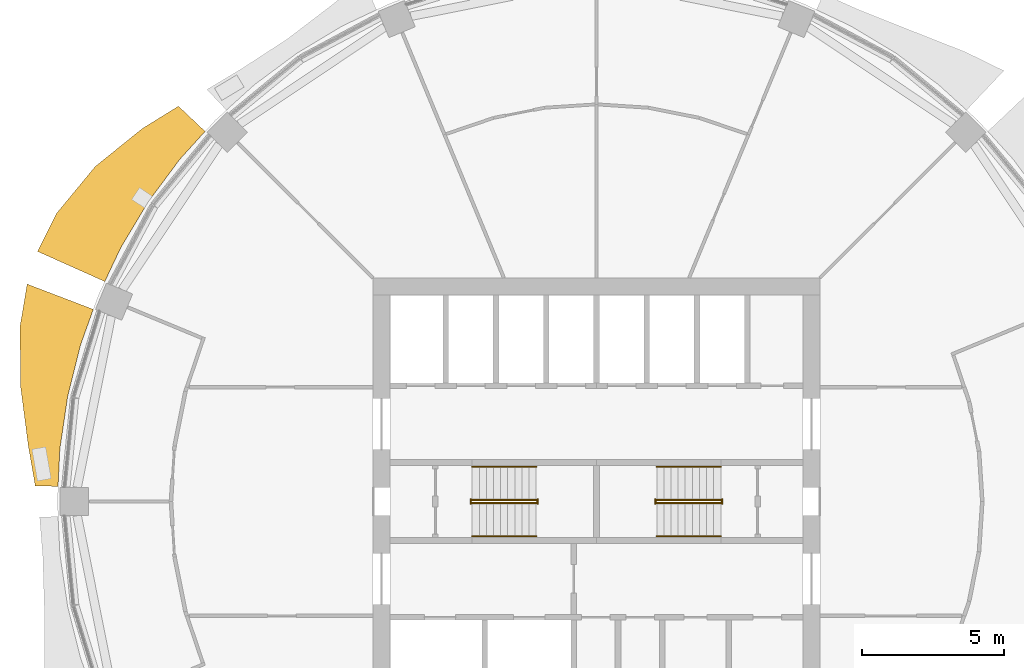
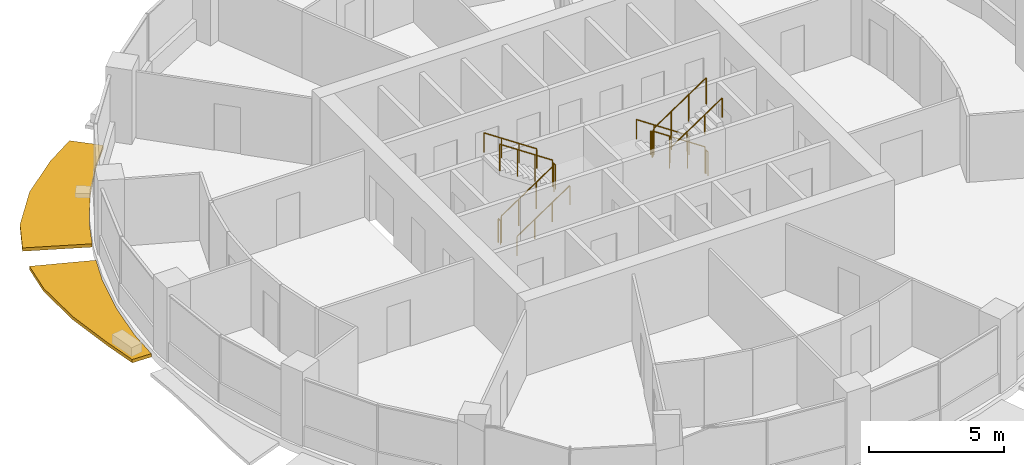
# One storey, part 13 of 15: 12 railings, 2 shading devices.
"""IFC4 building model written with IfcOpenShell, lengths in metres."""

import ifcopenshell
import ifcopenshell.guid

model = None  # the IFC model being written
_history = None  # IfcOwnerHistory: only IFC2X3 demands one
_inside = {}  # id of a spatial element -> (the spatial element, [elements in it])
_under = {}  # id of a project, library or spatial element -> (it, [spatial elements below it])
_declared = {}  # id of a project -> (the project, [libraries it declares])
_typed = {}  # id of a type object -> (the type object, [elements of that type])
_made_of = {}  # id of a material, layer set ... -> (it, [elements and type objects made of it])


def new_model(schema):
    """Start an empty IFC model of exactly this schema.

    Asked for "IFC4X3", IfcOpenShell would pick the latest addendum, in which some entities
    have other attributes; the version numbers below select the first issue.
    IFC2X3 requires an IfcOwnerHistory on every rooted entity: one is made here for all.
    """
    global model, _history
    if schema == "IFC4X3":
        model = ifcopenshell.file(schema_version=(4, 3, 0, 0))
    else:
        model = ifcopenshell.file(schema=schema)
    _inside.clear()
    _under.clear()
    _declared.clear()
    _typed.clear()
    _made_of.clear()
    _history = None
    if model.schema == "IFC2X3":
        org = make("IfcOrganization", Name="unknown")
        user = make(
            "IfcPersonAndOrganization",
            ThePerson=make("IfcPerson", FamilyName="unknown"),
            TheOrganization=org,
        )
        app = make(
            "IfcApplication",
            ApplicationDeveloper=org,
            Version="unknown",
            ApplicationFullName="unknown",
            ApplicationIdentifier="unknown",
        )
        _history = make(
            "IfcOwnerHistory",
            OwningUser=user,
            OwningApplication=app,
            ChangeAction="ADDED",
            CreationDate=0,
        )
    return model


def make(cls, **values):
    """One entity of the class cls with the attributes given. An attribute that is None is left unset."""
    return model.create_entity(
        cls, **{name: value for name, value in values.items() if value is not None}
    )


def rooted(cls, **values):
    """An entity with a GlobalId (a new one), such as an element, a storey or a relation."""
    return make(cls, GlobalId=ifcopenshell.guid.new(), OwnerHistory=_history, **values)


def si_unit(unit_type, name, prefix=None):
    """IfcSIUnit, for example si_unit("LENGTHUNIT", "METRE", prefix="MILLI")."""
    return make("IfcSIUnit", UnitType=unit_type, Prefix=prefix, Name=name)


def assignment(units):
    """IfcUnitAssignment: the units of a project."""
    return None if units is None else make("IfcUnitAssignment", Units=units)


def point(xyz):
    """IfcCartesianPoint."""
    return None if xyz is None else make("IfcCartesianPoint", Coordinates=xyz)


def direction(xyz):
    """IfcDirection."""
    return None if xyz is None else make("IfcDirection", DirectionRatios=xyz)


def frame(location, z_axis=None, x_axis=None):
    """IfcAxis2Placement3D, a coordinate frame: its origin and axes. An axis left out is left unset."""
    return make(
        "IfcAxis2Placement3D",
        Location=point(location),
        Axis=direction(z_axis),
        RefDirection=direction(x_axis),
    )


def frame_2d(location, x_axis=None):
    """IfcAxis2Placement2D, a coordinate frame in the plane: its origin and x axis."""
    return make(
        "IfcAxis2Placement2D", Location=point(location), RefDirection=direction(x_axis)
    )


def origin():
    """The frame at (0, 0, 0) with its axes left unset."""
    return frame((0.0, 0.0, 0.0))


def origin_2d():
    """The frame at (0, 0) in the plane with its x axis left unset."""
    return frame_2d((0.0, 0.0))


def place(relative_to, where):
    """IfcLocalPlacement: puts the frame where relative to a parent placement (None: the world)."""
    return make(
        "IfcLocalPlacement", PlacementRelTo=relative_to, RelativePlacement=where
    )


def context(
    kind, dimensions, precision=None, world=None, true_north=None, identifier=None
):
    """IfcGeometricRepresentationContext, for example the 3D "Model" context."""
    return make(
        "IfcGeometricRepresentationContext",
        ContextIdentifier=identifier,
        ContextType=kind,
        CoordinateSpaceDimension=dimensions,
        Precision=precision,
        WorldCoordinateSystem=world,
        TrueNorth=true_north,
    )


def subcontext(parent, identifier, kind, view, scale=None):
    """IfcGeometricRepresentationSubContext, for example "Body" below "Model"."""
    return make(
        "IfcGeometricRepresentationSubContext",
        ContextIdentifier=identifier,
        ContextType=kind,
        ParentContext=parent,
        TargetScale=scale,
        TargetView=view,
    )


def project(units=None, contexts=None):
    """IfcProject with its units and contexts."""
    return rooted(
        "IfcProject",
        Name="project",
        RepresentationContexts=contexts,
        UnitsInContext=assignment(units),
    )


def spatial(cls, under=None, at=None, **own):
    """A site, building, storey or space (cls), placed at a placement, below another one or the project."""
    s = rooted(cls, ObjectPlacement=at, **own)
    if under is not None:
        _under.setdefault(under.id(), (under, []))[1].append(s)
    return s


def polyline(points):
    """IfcPolyline through the points."""
    return make("IfcPolyline", Points=[point(p) for p in points])


def profile(cls, at=None, kind="AREA", **sizes):
    """A parametric profile (cls). Its sizes go by their IFC names, for example OverallWidth=200.0."""
    return make(cls, ProfileType=kind, Position=at, **sizes)


def circle(**sizes):
    """IfcCircleProfileDef."""
    return profile("IfcCircleProfileDef", **sizes)


def outline(outer, holes=None, kind="AREA"):
    """IfcArbitraryClosedProfileDef: a profile drawn as a closed curve; with holes, ...WithVoids."""
    if holes is None:
        return make("IfcArbitraryClosedProfileDef", ProfileType=kind, OuterCurve=outer)
    return make(
        "IfcArbitraryProfileDefWithVoids",
        ProfileType=kind,
        OuterCurve=outer,
        InnerCurves=holes,
    )


def extrude(swept, where, along, depth):
    """IfcExtrudedAreaSolid: the profile swept, set in the frame where, extruded along a direction by depth."""
    return make(
        "IfcExtrudedAreaSolid",
        SweptArea=swept,
        Position=where,
        ExtrudedDirection=direction(along),
        Depth=depth,
    )


def shape(context_of_items, identifier, shape_type, items):
    """IfcShapeRepresentation: the items that make up one representation, for example the "Body"."""
    return make(
        "IfcShapeRepresentation",
        ContextOfItems=context_of_items,
        RepresentationIdentifier=identifier,
        RepresentationType=shape_type,
        Items=items,
    )


def material(Name=None, Category=None):
    """IfcMaterial."""
    return make("IfcMaterial", Name=Name, Category=Category)


def made_of(thing, what):
    """Note that an element or type object is made of a material, layer set ...; save() writes the relation."""
    if what is not None:
        _made_of.setdefault(what.id(), (what, []))[1].append(thing)
    return thing


def type_object(cls, material=None, **own):
    """A type object (cls), such as IfcWallType, which elements share."""
    return made_of(rooted(cls, **own), material)


def element(
    cls,
    number,
    at=None,
    inside=None,
    cuts=None,
    type_object=None,
    material=None,
    context=None,
    identifier="Body",
    shape_type=None,
    held_by="IfcProductDefinitionShape",
    body=None,
    shapes=None,
    **own,
):
    """One element of the class cls, such as IfcWall. Its Tag is "e" and its number.

    at: its placement. inside: the storey or other place that contains it. cuts: it is an
    opening in that element (IfcRelVoidsElement). A single representation is given by context,
    identifier, shape_type and body (its items); several are given by shapes. held_by: the class
    of the entity that holds the representations. save() writes the other relations.
    """
    e = rooted(cls, Tag="e%d" % number, ObjectPlacement=at, **own)
    if body is not None:
        shapes = [shape(context, identifier, shape_type, body)]
    if shapes is not None:
        e.Representation = make(held_by, Representations=shapes)
    if inside is not None:
        _inside.setdefault(inside.id(), (inside, []))[1].append(e)
    if cuts is not None:
        rooted(
            "IfcRelVoidsElement", RelatingBuildingElement=cuts, RelatedOpeningElement=e
        )
    if type_object is not None:
        _typed.setdefault(type_object.id(), (type_object, []))[1].append(e)
    return made_of(e, material)


def aggregate(whole, parts):
    """IfcRelAggregates: a whole, such as a stair, and the parts it consists of."""
    return rooted("IfcRelAggregates", RelatingObject=whole, RelatedObjects=parts)


def save(model, path):
    """Write the relations noted so far, then the file.

    IfcRelAggregates (storeys below a building ...), IfcRelContainedInSpatialStructure (elements
    in a storey), IfcRelDefinesByType, IfcRelAssociatesMaterial and IfcRelDeclares: one each for
    every whole, place, type object, material and project.
    """
    for whole, parts in _under.values():
        aggregate(whole, parts)
    for where, things in _inside.values():
        rooted(
            "IfcRelContainedInSpatialStructure",
            RelatedElements=things,
            RelatingStructure=where,
        )
    for kind, things in _typed.values():
        rooted("IfcRelDefinesByType", RelatedObjects=things, RelatingType=kind)
    for what, things in _made_of.values():
        rooted("IfcRelAssociatesMaterial", RelatedObjects=things, RelatingMaterial=what)
    for by, libraries in _declared.values():
        rooted("IfcRelDeclares", RelatingContext=by, RelatedDefinitions=libraries)
    model.write(path)


model = new_model("IFC4")

# Units and contexts
model_context = context("Model", 3, precision=1e-05, world=origin(), true_north=direction((0.0, 1.0)))
body_context = subcontext(model_context, "Body", "Model", "MODEL_VIEW")
ifc_project = project(units=[si_unit("LENGTHUNIT", "METRE"), si_unit("AREAUNIT", "SQUARE_METRE"), si_unit("VOLUMEUNIT", "CUBIC_METRE"), si_unit("PLANEANGLEUNIT", "RADIAN"), si_unit("MASSUNIT", "GRAM", prefix="KILO")], contexts=[model_context])

# Site, building, storey
site_placement = place(None, origin())
site = spatial("IfcSite", under=ifc_project, at=site_placement, CompositionType="ELEMENT")
building_placement = place(site_placement, origin())
building = spatial("IfcBuilding", under=site, at=building_placement, Name="Polderwave Tower", CompositionType="ELEMENT")
storey_placement = place(building_placement, frame((0.0, 0.0, 137.699951171875)))
storey = spatial("IfcBuildingStorey", under=building, at=storey_placement, Name="L36", CompositionType="ELEMENT", Elevation=137.699951171875)

# Railings
ifc_material_1 = material(Name="Stainless steel", Category="steel")
railing_type_1 = type_object("IfcRailingType", Name="Stair guard 1100", PredefinedType="GUARDRAIL", material=ifc_material_1)
railing_1_placement = place(storey_placement, frame((-4.3740234375, -0.051025390625, 0.04736328125)))
element("IfcRailing", 1, at=railing_1_placement, inside=storey, type_object=railing_type_1, Name="L36 ST-A stair guard 1", PredefinedType="GUARDRAIL", context=body_context, shape_type="SweptSolid", body=[
    extrude(circle(Radius=0.02392578125, at=origin_2d()), frame((0.0, 0.0, 1.1962890625), z_axis=(0.830758306289, 0.0, 0.556633305266), x_axis=(0.0, 1.0, 0.0)), (0.0, 0.0, 1.0), 2.708251953125),
    extrude(circle(Radius=0.02392578125, at=origin_2d()), origin(), (0.0, 0.0, 1.0), 1.172119140625),
    extrude(circle(Radius=0.02392578125, at=origin_2d()), frame((0.75, 0.0, 0.50244140625)), (0.0, 0.0, 1.0), 1.172119140625),
    extrude(circle(Radius=0.02392578125, at=origin_2d()), frame((1.5, 0.0, 1.005126953125)), (0.0, 0.0, 1.0), 1.172119140625),
    extrude(circle(Radius=0.02392578125, at=origin_2d()), frame((2.25, 0.0, 1.507568359375)), (0.0, 0.0, 1.0), 1.172119140625),
])
railing_2_placement = place(storey_placement, frame((-2.073974609375, -0.074951171875, 1.675048828125)))
element("IfcRailing", 2, at=railing_2_placement, inside=storey, type_object=railing_type_1, Name="L36 ST-A stair guard 2", PredefinedType="GUARDRAIL", context=body_context, shape_type="SweptSolid", body=[
    extrude(circle(Radius=0.02392578125, at=origin_2d()), frame((0.0, 0.0, 1.076171875), z_axis=(0.0, 1.0, 0.0), x_axis=(-1.0, 0.0, 0.0)), (0.0, 0.0, 1.0), 0.14990234375),
    extrude(circle(Radius=0.02099609375, at=origin_2d()), origin(), (0.0, 0.0, 1.0), 1.052001953125),
    extrude(circle(Radius=0.02099609375, at=origin_2d()), frame((0.0, 0.14990234375, 0.0)), (0.0, 0.0, 1.0), 1.052001953125),
])
railing_3_placement = place(storey_placement, frame((-2.1240234375, 0.051025390625, 1.722412109375)))
element("IfcRailing", 3, at=railing_3_placement, inside=storey, type_object=railing_type_1, Name="L36 ST-A stair guard 3", PredefinedType="GUARDRAIL", context=body_context, shape_type="SweptSolid", body=[
    extrude(circle(Radius=0.02392578125, at=origin_2d()), frame((0.0, 0.0, 1.1962890625), z_axis=(-0.830758306289, 0.0, 0.556633305266), x_axis=(0.0, -1.0, 0.0)), (0.0, 0.0, 1.0), 2.708251953125),
    extrude(circle(Radius=0.02392578125, at=origin_2d()), origin(), (0.0, 0.0, 1.0), 1.172119140625),
    extrude(circle(Radius=0.02392578125, at=origin_2d()), frame((-0.75, 0.0, 0.50244140625)), (0.0, 0.0, 1.0), 1.172119140625),
    extrude(circle(Radius=0.02392578125, at=origin_2d()), frame((-1.5, 0.0, 1.005126953125)), (0.0, 0.0, 1.0), 1.172119140625),
    extrude(circle(Radius=0.02392578125, at=origin_2d()), frame((-2.25, 0.0, 1.507568359375)), (0.0, 0.0, 1.0), 1.172119140625),
])
railing_4_placement = place(storey_placement, frame((-4.424072265625, -0.074951171875, 0.0)))
element("IfcRailing", 4, at=railing_4_placement, inside=storey, type_object=railing_type_1, Name="L36 ST-A stair guard 4", PredefinedType="GUARDRAIL", context=body_context, shape_type="SweptSolid", body=[
    extrude(circle(Radius=0.02392578125, at=origin_2d()), frame((0.0, 0.0, 1.076171875), z_axis=(0.0, 1.0, 0.0), x_axis=(-1.0, 0.0, 0.0)), (0.0, 0.0, 1.0), 0.14990234375),
    extrude(circle(Radius=0.02099609375, at=origin_2d()), origin(), (0.0, 0.0, 1.0), 1.052001953125),
    extrude(circle(Radius=0.02099609375, at=origin_2d()), frame((0.0, 0.14990234375, 0.0)), (0.0, 0.0, 1.0), 1.052001953125),
])
railing_5_placement = place(storey_placement, frame((4.3740234375, 0.051025390625, 0.04736328125)))
element("IfcRailing", 5, at=railing_5_placement, inside=storey, type_object=railing_type_1, Name="L36 ST-B stair guard 1", PredefinedType="GUARDRAIL", context=body_context, shape_type="SweptSolid", body=[
    extrude(circle(Radius=0.02392578125, at=origin_2d()), frame((0.0, 0.0, 1.1962890625), z_axis=(-0.830758306289, 0.0, 0.556633305266), x_axis=(0.0, -1.0, 0.0)), (0.0, 0.0, 1.0), 2.708251953125),
    extrude(circle(Radius=0.02392578125, at=origin_2d()), origin(), (0.0, 0.0, 1.0), 1.172119140625),
    extrude(circle(Radius=0.02392578125, at=origin_2d()), frame((-0.75, 0.0, 0.50244140625)), (0.0, 0.0, 1.0), 1.172119140625),
    extrude(circle(Radius=0.02392578125, at=origin_2d()), frame((-1.5, 0.0, 1.005126953125)), (0.0, 0.0, 1.0), 1.172119140625),
    extrude(circle(Radius=0.02392578125, at=origin_2d()), frame((-2.25, 0.0, 1.507568359375)), (0.0, 0.0, 1.0), 1.172119140625),
])
railing_6_placement = place(storey_placement, frame((2.073974609375, 0.074951171875, 1.675048828125)))
element("IfcRailing", 6, at=railing_6_placement, inside=storey, type_object=railing_type_1, Name="L36 ST-B stair guard 2", PredefinedType="GUARDRAIL", context=body_context, shape_type="SweptSolid", body=[
    extrude(circle(Radius=0.02392578125, at=origin_2d()), frame((0.0, 0.0, 1.076171875), z_axis=(0.0, -1.0, 0.0), x_axis=(1.0, 0.0, 0.0)), (0.0, 0.0, 1.0), 0.14990234375),
    extrude(circle(Radius=0.02099609375, at=origin_2d()), origin(), (0.0, 0.0, 1.0), 1.052001953125),
    extrude(circle(Radius=0.02099609375, at=origin_2d()), frame((0.0, -0.14990234375, 0.0)), (0.0, 0.0, 1.0), 1.052001953125),
])
railing_7_placement = place(storey_placement, frame((2.1240234375, -0.051025390625, 1.722412109375)))
element("IfcRailing", 7, at=railing_7_placement, inside=storey, type_object=railing_type_1, Name="L36 ST-B stair guard 3", PredefinedType="GUARDRAIL", context=body_context, shape_type="SweptSolid", body=[
    extrude(circle(Radius=0.02392578125, at=origin_2d()), frame((0.0, 0.0, 1.1962890625), z_axis=(0.830758306289, 0.0, 0.556633305266), x_axis=(0.0, 1.0, 0.0)), (0.0, 0.0, 1.0), 2.708251953125),
    extrude(circle(Radius=0.02392578125, at=origin_2d()), origin(), (0.0, 0.0, 1.0), 1.172119140625),
    extrude(circle(Radius=0.02392578125, at=origin_2d()), frame((0.75, 0.0, 0.50244140625)), (0.0, 0.0, 1.0), 1.172119140625),
    extrude(circle(Radius=0.02392578125, at=origin_2d()), frame((1.5, 0.0, 1.005126953125)), (0.0, 0.0, 1.0), 1.172119140625),
    extrude(circle(Radius=0.02392578125, at=origin_2d()), frame((2.25, 0.0, 1.507568359375)), (0.0, 0.0, 1.0), 1.172119140625),
])
railing_8_placement = place(storey_placement, frame((4.424072265625, 0.074951171875, 0.0)))
element("IfcRailing", 8, at=railing_8_placement, inside=storey, type_object=railing_type_1, Name="L36 ST-B stair guard 4", PredefinedType="GUARDRAIL", context=body_context, shape_type="SweptSolid", body=[
    extrude(circle(Radius=0.02392578125, at=origin_2d()), frame((0.0, 0.0, 1.076171875), z_axis=(0.0, -1.0, 0.0), x_axis=(1.0, 0.0, 0.0)), (0.0, 0.0, 1.0), 0.14990234375),
    extrude(circle(Radius=0.02099609375, at=origin_2d()), origin(), (0.0, 0.0, 1.0), 1.052001953125),
    extrude(circle(Radius=0.02099609375, at=origin_2d()), frame((0.0, -0.14990234375, 0.0)), (0.0, 0.0, 1.0), 1.052001953125),
])
railing_type_2 = type_object("IfcRailingType", Name="Stair handrail 900", PredefinedType="HANDRAIL", material=ifc_material_1)
railing_9_placement = place(storey_placement, frame((-4.3740234375, -1.22509765625, 0.16748046875)))
element("IfcRailing", 9, at=railing_9_placement, inside=storey, type_object=railing_type_2, Name="L36 ST-A stair handrail 1", PredefinedType="HANDRAIL", context=body_context, shape_type="SweptSolid", body=[
    extrude(circle(Radius=0.02392578125, at=origin_2d()), frame((0.0, 0.0, 0.8759765625), z_axis=(0.830758306289, 0.0, 0.556633305266), x_axis=(0.0, 1.0, 0.0)), (0.0, 0.0, 1.0), 2.708251953125),
    extrude(circle(Radius=0.02099609375, at=origin_2d()), origin(), (0.0, 0.0, 1.0), 0.851806640625),
    extrude(circle(Radius=0.02099609375, at=origin_2d()), frame((0.75, 0.0, 0.50244140625)), (0.0, 0.0, 1.0), 0.851806640625),
    extrude(circle(Radius=0.02099609375, at=origin_2d()), frame((1.5, 0.0, 1.005126953125)), (0.0, 0.0, 1.0), 0.851806640625),
    extrude(circle(Radius=0.02099609375, at=origin_2d()), frame((2.25, 0.0, 1.507568359375)), (0.0, 0.0, 1.0), 0.851806640625),
])
for number, where, name in (
    (10, (-2.1240234375, 1.22509765625, 1.842529296875), "L36 ST-A stair handrail 2"),
    (11, (4.3740234375, 1.22509765625, 0.16748046875), "L36 ST-B stair handrail 1"),
):
    element("IfcRailing", number, at=place(storey_placement, frame(where)), inside=storey, type_object=railing_type_2, Name=name, PredefinedType="HANDRAIL", context=body_context, shape_type="SweptSolid", body=[
        extrude(circle(Radius=0.02392578125, at=origin_2d()), frame((0.0, 0.0, 0.8759765625), z_axis=(-0.830758306289, 0.0, 0.556633305266), x_axis=(0.0, -1.0, 0.0)), (0.0, 0.0, 1.0), 2.708251953125),
        extrude(circle(Radius=0.02099609375, at=origin_2d()), origin(), (0.0, 0.0, 1.0), 0.851806640625),
        extrude(circle(Radius=0.02099609375, at=origin_2d()), frame((-0.75, 0.0, 0.50244140625)), (0.0, 0.0, 1.0), 0.851806640625),
        extrude(circle(Radius=0.02099609375, at=origin_2d()), frame((-1.5, 0.0, 1.005126953125)), (0.0, 0.0, 1.0), 0.851806640625),
        extrude(circle(Radius=0.02099609375, at=origin_2d()), frame((-2.25, 0.0, 1.507568359375)), (0.0, 0.0, 1.0), 0.851806640625),
    ])
railing_10_placement = place(storey_placement, frame((2.1240234375, -1.22509765625, 1.842529296875)))
element("IfcRailing", 12, at=railing_10_placement, inside=storey, type_object=railing_type_2, Name="L36 ST-B stair handrail 2", PredefinedType="HANDRAIL", context=body_context, shape_type="SweptSolid", body=[
    extrude(circle(Radius=0.02392578125, at=origin_2d()), frame((0.0, 0.0, 0.8759765625), z_axis=(0.830758306289, 0.0, 0.556633305266), x_axis=(0.0, 1.0, 0.0)), (0.0, 0.0, 1.0), 2.708251953125),
    extrude(circle(Radius=0.02099609375, at=origin_2d()), origin(), (0.0, 0.0, 1.0), 0.851806640625),
    extrude(circle(Radius=0.02099609375, at=origin_2d()), frame((0.75, 0.0, 0.50244140625)), (0.0, 0.0, 1.0), 0.851806640625),
    extrude(circle(Radius=0.02099609375, at=origin_2d()), frame((1.5, 0.0, 1.005126953125)), (0.0, 0.0, 1.0), 0.851806640625),
    extrude(circle(Radius=0.02099609375, at=origin_2d()), frame((2.25, 0.0, 1.507568359375)), (0.0, 0.0, 1.0), 0.851806640625),
])

# Shading devices
ifc_material_2 = material(Name="Terracotta", Category="masonry")
shading_device_type = type_object("IfcShadingDeviceType", Name="Terracotta sunshade band", PredefinedType="USERDEFINED", material=ifc_material_2)
shading_device_1_placement = place(storey_placement, frame((0.0, 0.0, -0.349853515625)))
element("IfcShadingDevice", 13, at=shading_device_1_placement, inside=storey, type_object=shading_device_type, Name="Sunshade band L36 7", ObjectType="SUNSHADE", PredefinedType="USERDEFINED", context=body_context, shape_type="SweptSolid", body=[
    extrude(outline(polyline([(-13.77734375, 13.027587890625), (-14.671630859375, 12.040771484375), (-15.78125, 10.544677734375), (-16.739013671875, 8.947021484375), (-17.308349609375, 7.7431640625), (-19.673095703125, 8.80078125), (-18.99658203125, 10.15380859375), (-17.64599609375, 11.79052734375), (-15.992431640625, 13.124755859375), (-14.71630859375, 13.915771484375), (-13.77734375, 13.027587890625)])), origin(), (0.0, 0.0, 1.0), 0.14990234375),
])
shading_device_2_placement = place(storey_placement, frame((0.0, 0.0, -0.349853515625)))
element("IfcShadingDevice", 14, at=shading_device_2_placement, inside=storey, type_object=shading_device_type, Name="Sunshade band L36 8", ObjectType="SUNSHADE", PredefinedType="USERDEFINED", context=body_context, shape_type="SweptSolid", body=[
    extrude(outline(polyline([(-17.714111328125, 6.763671875), (-18.16259765625, 5.509521484375), (-18.615234375, 3.702880859375), (-18.888671875, 1.8603515625), (-18.9541015625, 0.530029296875), (-19.75634765625, 0.552490234375), (-20.00244140625, 1.97021484375), (-20.270263671875, 4.031982421875), (-20.29296875, 6.15576171875), (-20.040283203125, 7.652099609375), (-17.714111328125, 6.763671875)])), origin(), (0.0, 0.0, 1.0), 0.14990234375),
])

save(model, "model.ifc")
